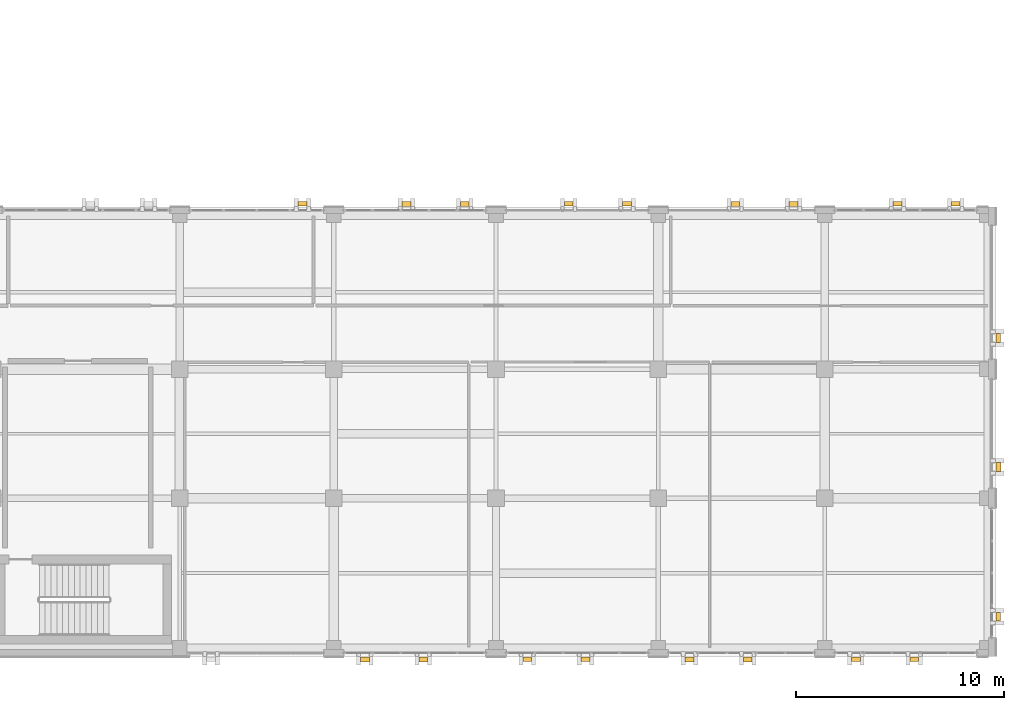
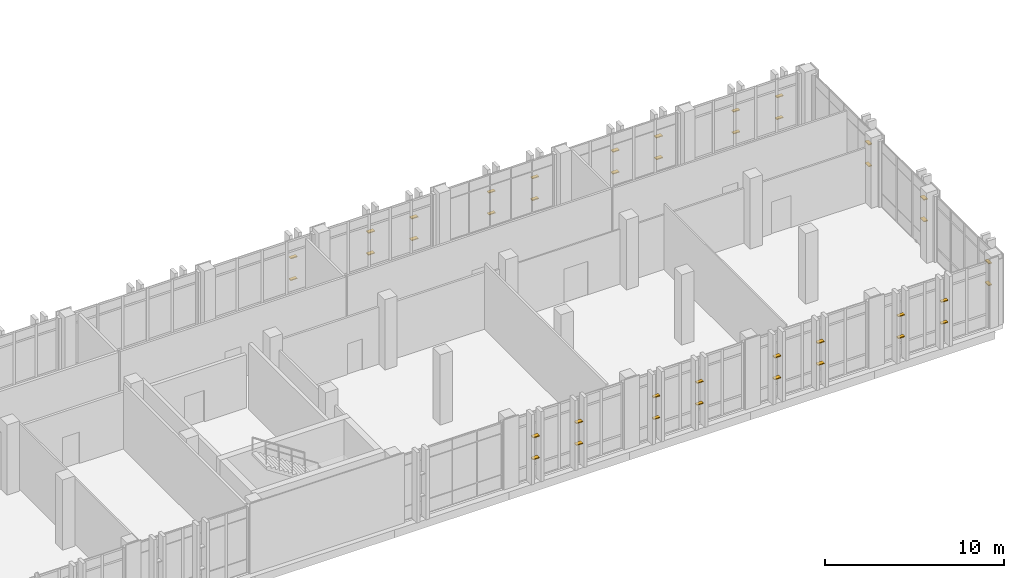
# One storey, part 189 of 189: 40 shading devices.
"""IFC4 building model written with IfcOpenShell, lengths in metres."""

from ifc_helpers import new_model, si_unit, direction, frame, origin, origin_2d, place, context, subcontext, project, spatial, rectangle, extrude, material, type_object, element, save


model = new_model("IFC4")

# Units and contexts
model_context = context("Model", 3, precision=1e-05, world=origin(), true_north=direction((0.0, 1.0)))
body_context = subcontext(model_context, "Body", "Model", "MODEL_VIEW")
ifc_project = project(units=[si_unit("LENGTHUNIT", "METRE"), si_unit("AREAUNIT", "SQUARE_METRE"), si_unit("VOLUMEUNIT", "CUBIC_METRE"), si_unit("PLANEANGLEUNIT", "RADIAN"), si_unit("MASSUNIT", "GRAM", prefix="KILO")], contexts=[model_context])

# Site, building, storey
site_placement = place(None, origin())
site = spatial("IfcSite", under=ifc_project, at=site_placement, CompositionType="ELEMENT")
building_placement = place(site_placement, origin())
building = spatial("IfcBuilding", under=site, at=building_placement, Name="Qalavern Law Courts", CompositionType="ELEMENT")
storey_placement = place(building_placement, frame((0.0, 0.0, 5.39990234375)))
storey = spatial("IfcBuildingStorey", under=building, at=storey_placement, Name="L01", CompositionType="ELEMENT", Elevation=5.39990234375)

# Shading devices
ifc_material = material(Name="Anodised aluminium", Category="aluminium")
shading_device_type_1 = type_object("IfcShadingDeviceType", Name="ENV-LOUV-1", PredefinedType="JALOUSIE", material=ifc_material)
for number, where, z_axis, x_axis, name in (
    (1, (143.5, 0.8525390625, 1.548583984375), (0.0, 0.0, 1.0), (1.0, 0.0, 0.0), "Horizontal sun louvre V6-L01-0-1"),
    (2, (143.5, 0.8525390625, 3.036865234375), (0.0, 0.0, 1.0), (1.0, 0.0, 0.0), "Horizontal sun louvre V6-L01-0-2"),
    (3, (146.300048828125, 0.8525390625, 1.548583984375), (0.0, 0.0, 1.0), (1.0, 0.0, 0.0), "Horizontal sun louvre V6-L01-1-1"),
    (4, (146.300048828125, 0.8525390625, 3.036865234375), (0.0, 0.0, 1.0), (1.0, 0.0, 0.0), "Horizontal sun louvre V6-L01-1-2"),
    (5, (159.300048828125, 0.8525390625, 1.548583984375), (0.0, 0.0, 1.0), (1.0, 0.0, 0.0), "Horizontal sun louvre V6-L01-0-1"),
    (6, (159.300048828125, 0.8525390625, 3.036865234375), (0.0, 0.0, 1.0), (1.0, 0.0, 0.0), "Horizontal sun louvre V6-L01-0-2"),
    (7, (162.10009765625, 0.8525390625, 1.548583984375), (0.0, 0.0, 1.0), (1.0, 0.0, 0.0), "Horizontal sun louvre V6-L01-1-1"),
    (8, (162.10009765625, 0.8525390625, 3.036865234375), (0.0, 0.0, 1.0), (1.0, 0.0, 0.0), "Horizontal sun louvre V6-L01-1-2"),
    (9, (166.1474609375, 2.89990234375, 1.548583984375), (0.0, 0.0, 1.0), (0.0, 1.0, 0.0), "Horizontal sun louvre V6-L01-0-1"),
    (10, (166.1474609375, 2.89990234375, 3.036865234375), (0.0, 0.0, 1.0), (0.0, 1.0, 0.0), "Horizontal sun louvre V6-L01-0-2"),
    (11, (166.1474609375, 16.300048828125, 1.548583984375), (0.0, 0.0, 1.0), (0.0, 1.0, 0.0), "Horizontal sun louvre V6-L01-0-1"),
    (12, (166.1474609375, 16.300048828125, 3.036865234375), (0.0, 0.0, 1.0), (0.0, 1.0, 0.0), "Horizontal sun louvre V6-L01-0-2"),
    (13, (164.10009765625, 22.74755859375, 1.548583984375), (0.0, 0.0, 1.0), (-1.0, 0.0, 0.0), "Horizontal sun louvre V6-L01-0-1"),
    (14, (164.10009765625, 22.74755859375, 3.036865234375), (0.0, 0.0, 1.0), (-1.0, 0.0, 0.0), "Horizontal sun louvre V6-L01-0-2"),
    (15, (161.300048828125, 22.74755859375, 1.548583984375), (0.0, 0.0, 1.0), (-1.0, 0.0, 0.0), "Horizontal sun louvre V6-L01-1-1"),
    (16, (161.300048828125, 22.74755859375, 3.036865234375), (0.0, 0.0, 1.0), (-1.0, 0.0, 0.0), "Horizontal sun louvre V6-L01-1-2"),
    (17, (148.300048828125, 22.74755859375, 1.548583984375), (0.0, 0.0, 1.0), (-1.0, 0.0, 0.0), "Horizontal sun louvre V6-L01-0-1"),
    (18, (148.300048828125, 22.74755859375, 3.036865234375), (0.0, 0.0, 1.0), (-1.0, 0.0, 0.0), "Horizontal sun louvre V6-L01-0-2"),
    (19, (145.5, 22.74755859375, 1.548583984375), (0.0, 0.0, 1.0), (-1.0, 0.0, 0.0), "Horizontal sun louvre V6-L01-1-1"),
    (20, (145.5, 22.74755859375, 3.036865234375), (0.0, 0.0, 1.0), (-1.0, 0.0, 0.0), "Horizontal sun louvre V6-L01-1-2"),
    (21, (132.699951171875, 22.74755859375, 1.548583984375), (0.0, 0.0, 1.0), (-1.0, 0.0, 0.0), "Horizontal sun louvre V6-L01-0-1"),
    (22, (132.699951171875, 22.74755859375, 3.036865234375), (0.0, 0.0, 1.0), (-1.0, 0.0, 0.0), "Horizontal sun louvre V6-L01-0-2"),
):
    element("IfcShadingDevice", number, at=place(storey_placement, frame(where, z_axis=z_axis, x_axis=x_axis)), inside=storey, type_object=shading_device_type_1, Name=name, PredefinedType="JALOUSIE", context=body_context, shape_type="SweptSolid", body=[
        extrude(rectangle(XDim=0.419921875, YDim=0.2099609375, at=origin_2d()), origin(), (0.0, 0.0, 1.0), 0.06005859375),
    ])
shading_device_type_2 = type_object("IfcShadingDeviceType", Name="ENV-LOUV-2", PredefinedType="JALOUSIE", material=ifc_material)
for number, where, z_axis, x_axis, name in (
    (23, (135.699951171875, 0.8525390625, 1.548583984375), (0.0, 0.0, 1.0), (1.0, 0.0, 0.0), "Horizontal sun louvre V6-L01-0-1"),
    (24, (135.699951171875, 0.8525390625, 3.036865234375), (0.0, 0.0, 1.0), (1.0, 0.0, 0.0), "Horizontal sun louvre V6-L01-0-2"),
    (25, (138.5, 0.8525390625, 1.548583984375), (0.0, 0.0, 1.0), (1.0, 0.0, 0.0), "Horizontal sun louvre V6-L01-1-1"),
    (26, (138.5, 0.8525390625, 3.036865234375), (0.0, 0.0, 1.0), (1.0, 0.0, 0.0), "Horizontal sun louvre V6-L01-1-2"),
    (27, (151.300048828125, 0.8525390625, 1.548583984375), (0.0, 0.0, 1.0), (1.0, 0.0, 0.0), "Horizontal sun louvre V6-L01-0-1"),
    (28, (151.300048828125, 0.8525390625, 3.036865234375), (0.0, 0.0, 1.0), (1.0, 0.0, 0.0), "Horizontal sun louvre V6-L01-0-2"),
    (29, (154.10009765625, 0.8525390625, 1.548583984375), (0.0, 0.0, 1.0), (1.0, 0.0, 0.0), "Horizontal sun louvre V6-L01-1-1"),
    (30, (154.10009765625, 0.8525390625, 3.036865234375), (0.0, 0.0, 1.0), (1.0, 0.0, 0.0), "Horizontal sun louvre V6-L01-1-2"),
    (31, (166.1474609375, 10.10009765625, 1.548583984375), (0.0, 0.0, 1.0), (0.0, 1.0, 0.0), "Horizontal sun louvre V6-L01-0-1"),
    (32, (166.1474609375, 10.10009765625, 3.036865234375), (0.0, 0.0, 1.0), (0.0, 1.0, 0.0), "Horizontal sun louvre V6-L01-0-2"),
    (33, (156.300048828125, 22.74755859375, 1.548583984375), (0.0, 0.0, 1.0), (-1.0, 0.0, 0.0), "Horizontal sun louvre V6-L01-0-1"),
    (34, (156.300048828125, 22.74755859375, 3.036865234375), (0.0, 0.0, 1.0), (-1.0, 0.0, 0.0), "Horizontal sun louvre V6-L01-0-2"),
    (35, (153.5, 22.74755859375, 1.548583984375), (0.0, 0.0, 1.0), (-1.0, 0.0, 0.0), "Horizontal sun louvre V6-L01-1-1"),
    (36, (153.5, 22.74755859375, 3.036865234375), (0.0, 0.0, 1.0), (-1.0, 0.0, 0.0), "Horizontal sun louvre V6-L01-1-2"),
    (37, (140.5, 22.74755859375, 1.548583984375), (0.0, 0.0, 1.0), (-1.0, 0.0, 0.0), "Horizontal sun louvre V6-L01-0-1"),
    (38, (140.5, 22.74755859375, 3.036865234375), (0.0, 0.0, 1.0), (-1.0, 0.0, 0.0), "Horizontal sun louvre V6-L01-0-2"),
    (39, (137.699951171875, 22.74755859375, 1.548583984375), (0.0, 0.0, 1.0), (-1.0, 0.0, 0.0), "Horizontal sun louvre V6-L01-1-1"),
    (40, (137.699951171875, 22.74755859375, 3.036865234375), (0.0, 0.0, 1.0), (-1.0, 0.0, 0.0), "Horizontal sun louvre V6-L01-1-2"),
):
    element("IfcShadingDevice", number, at=place(storey_placement, frame(where, z_axis=z_axis, x_axis=x_axis)), inside=storey, type_object=shading_device_type_2, Name=name, PredefinedType="JALOUSIE", context=body_context, shape_type="SweptSolid", body=[
        extrude(rectangle(XDim=0.419921875, YDim=0.25, at=origin_2d()), origin(), (0.0, 0.0, 1.0), 0.06005859375),
    ])

save(model, "model.ifc")
